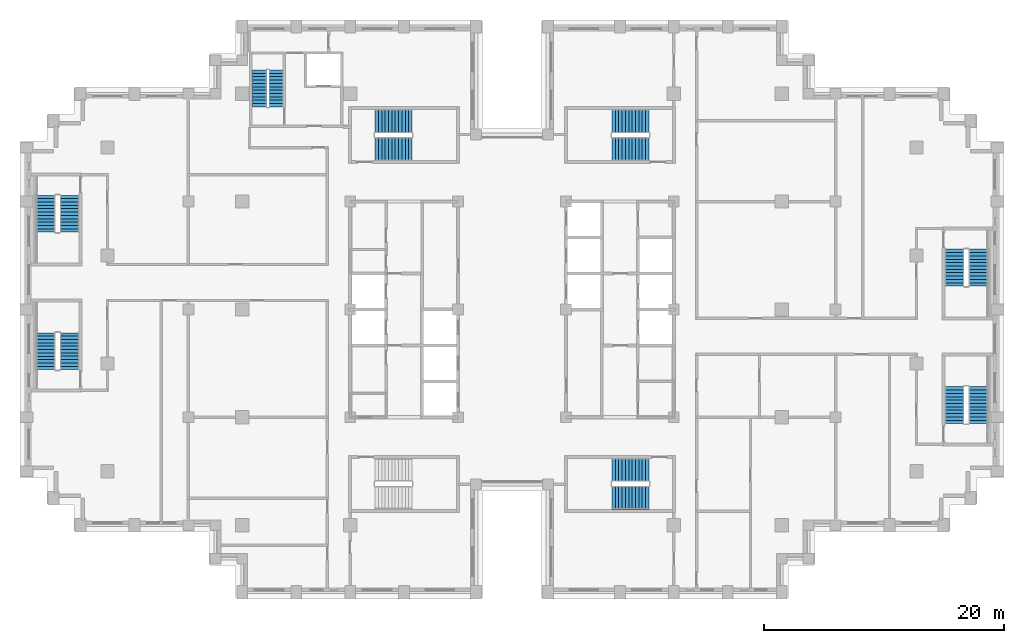
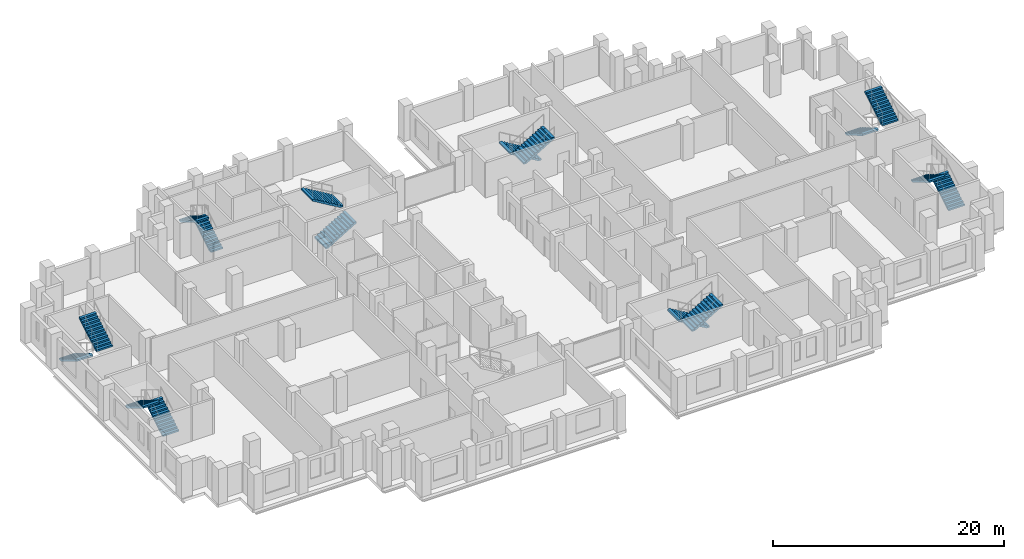
# One storey, part 13 of 15: 16 stair flights, 8 elements without a shape of their own.
"""IFC4 building model written with IfcOpenShell, lengths in metres."""

import ifcopenshell
import ifcopenshell.guid

model = None  # the IFC model being written
_history = None  # IfcOwnerHistory: only IFC2X3 demands one
_inside = {}  # id of a spatial element -> (the spatial element, [elements in it])
_under = {}  # id of a project, library or spatial element -> (it, [spatial elements below it])
_declared = {}  # id of a project -> (the project, [libraries it declares])
_typed = {}  # id of a type object -> (the type object, [elements of that type])
_made_of = {}  # id of a material, layer set ... -> (it, [elements and type objects made of it])


def new_model(schema):
    """Start an empty IFC model of exactly this schema.

    Asked for "IFC4X3", IfcOpenShell would pick the latest addendum, in which some entities
    have other attributes; the version numbers below select the first issue.
    IFC2X3 requires an IfcOwnerHistory on every rooted entity: one is made here for all.
    """
    global model, _history
    if schema == "IFC4X3":
        model = ifcopenshell.file(schema_version=(4, 3, 0, 0))
    else:
        model = ifcopenshell.file(schema=schema)
    _inside.clear()
    _under.clear()
    _declared.clear()
    _typed.clear()
    _made_of.clear()
    _history = None
    if model.schema == "IFC2X3":
        org = make("IfcOrganization", Name="unknown")
        user = make(
            "IfcPersonAndOrganization",
            ThePerson=make("IfcPerson", FamilyName="unknown"),
            TheOrganization=org,
        )
        app = make(
            "IfcApplication",
            ApplicationDeveloper=org,
            Version="unknown",
            ApplicationFullName="unknown",
            ApplicationIdentifier="unknown",
        )
        _history = make(
            "IfcOwnerHistory",
            OwningUser=user,
            OwningApplication=app,
            ChangeAction="ADDED",
            CreationDate=0,
        )
    return model


def make(cls, **values):
    """One entity of the class cls with the attributes given. An attribute that is None is left unset."""
    return model.create_entity(
        cls, **{name: value for name, value in values.items() if value is not None}
    )


def rooted(cls, **values):
    """An entity with a GlobalId (a new one), such as an element, a storey or a relation."""
    return make(cls, GlobalId=ifcopenshell.guid.new(), OwnerHistory=_history, **values)


def si_unit(unit_type, name, prefix=None):
    """IfcSIUnit, for example si_unit("LENGTHUNIT", "METRE", prefix="MILLI")."""
    return make("IfcSIUnit", UnitType=unit_type, Prefix=prefix, Name=name)


def assignment(units):
    """IfcUnitAssignment: the units of a project."""
    return None if units is None else make("IfcUnitAssignment", Units=units)


def point(xyz):
    """IfcCartesianPoint."""
    return None if xyz is None else make("IfcCartesianPoint", Coordinates=xyz)


def direction(xyz):
    """IfcDirection."""
    return None if xyz is None else make("IfcDirection", DirectionRatios=xyz)


def frame(location, z_axis=None, x_axis=None):
    """IfcAxis2Placement3D, a coordinate frame: its origin and axes. An axis left out is left unset."""
    return make(
        "IfcAxis2Placement3D",
        Location=point(location),
        Axis=direction(z_axis),
        RefDirection=direction(x_axis),
    )


def origin():
    """The frame at (0, 0, 0) with its axes left unset."""
    return frame((0.0, 0.0, 0.0))


def place(relative_to, where):
    """IfcLocalPlacement: puts the frame where relative to a parent placement (None: the world)."""
    return make(
        "IfcLocalPlacement", PlacementRelTo=relative_to, RelativePlacement=where
    )


def context(
    kind, dimensions, precision=None, world=None, true_north=None, identifier=None
):
    """IfcGeometricRepresentationContext, for example the 3D "Model" context."""
    return make(
        "IfcGeometricRepresentationContext",
        ContextIdentifier=identifier,
        ContextType=kind,
        CoordinateSpaceDimension=dimensions,
        Precision=precision,
        WorldCoordinateSystem=world,
        TrueNorth=true_north,
    )


def subcontext(parent, identifier, kind, view, scale=None):
    """IfcGeometricRepresentationSubContext, for example "Body" below "Model"."""
    return make(
        "IfcGeometricRepresentationSubContext",
        ContextIdentifier=identifier,
        ContextType=kind,
        ParentContext=parent,
        TargetScale=scale,
        TargetView=view,
    )


def project(units=None, contexts=None):
    """IfcProject with its units and contexts."""
    return rooted(
        "IfcProject",
        Name="project",
        RepresentationContexts=contexts,
        UnitsInContext=assignment(units),
    )


def spatial(cls, under=None, at=None, **own):
    """A site, building, storey or space (cls), placed at a placement, below another one or the project."""
    s = rooted(cls, ObjectPlacement=at, **own)
    if under is not None:
        _under.setdefault(under.id(), (under, []))[1].append(s)
    return s


def polyline(points):
    """IfcPolyline through the points."""
    return make("IfcPolyline", Points=[point(p) for p in points])


def outline(outer, holes=None, kind="AREA"):
    """IfcArbitraryClosedProfileDef: a profile drawn as a closed curve; with holes, ...WithVoids."""
    if holes is None:
        return make("IfcArbitraryClosedProfileDef", ProfileType=kind, OuterCurve=outer)
    return make(
        "IfcArbitraryProfileDefWithVoids",
        ProfileType=kind,
        OuterCurve=outer,
        InnerCurves=holes,
    )


def extrude(swept, where, along, depth):
    """IfcExtrudedAreaSolid: the profile swept, set in the frame where, extruded along a direction by depth."""
    return make(
        "IfcExtrudedAreaSolid",
        SweptArea=swept,
        Position=where,
        ExtrudedDirection=direction(along),
        Depth=depth,
    )


def shape(context_of_items, identifier, shape_type, items):
    """IfcShapeRepresentation: the items that make up one representation, for example the "Body"."""
    return make(
        "IfcShapeRepresentation",
        ContextOfItems=context_of_items,
        RepresentationIdentifier=identifier,
        RepresentationType=shape_type,
        Items=items,
    )


def material(Name=None, Category=None):
    """IfcMaterial."""
    return make("IfcMaterial", Name=Name, Category=Category)


def made_of(thing, what):
    """Note that an element or type object is made of a material, layer set ...; save() writes the relation."""
    if what is not None:
        _made_of.setdefault(what.id(), (what, []))[1].append(thing)
    return thing


def type_object(cls, material=None, **own):
    """A type object (cls), such as IfcWallType, which elements share."""
    return made_of(rooted(cls, **own), material)


def element(
    cls,
    number,
    at=None,
    inside=None,
    cuts=None,
    type_object=None,
    material=None,
    context=None,
    identifier="Body",
    shape_type=None,
    held_by="IfcProductDefinitionShape",
    body=None,
    shapes=None,
    **own,
):
    """One element of the class cls, such as IfcWall. Its Tag is "e" and its number.

    at: its placement. inside: the storey or other place that contains it. cuts: it is an
    opening in that element (IfcRelVoidsElement). A single representation is given by context,
    identifier, shape_type and body (its items); several are given by shapes. held_by: the class
    of the entity that holds the representations. save() writes the other relations.
    """
    e = rooted(cls, Tag="e%d" % number, ObjectPlacement=at, **own)
    if body is not None:
        shapes = [shape(context, identifier, shape_type, body)]
    if shapes is not None:
        e.Representation = make(held_by, Representations=shapes)
    if inside is not None:
        _inside.setdefault(inside.id(), (inside, []))[1].append(e)
    if cuts is not None:
        rooted(
            "IfcRelVoidsElement", RelatingBuildingElement=cuts, RelatedOpeningElement=e
        )
    if type_object is not None:
        _typed.setdefault(type_object.id(), (type_object, []))[1].append(e)
    return made_of(e, material)


def aggregate(whole, parts):
    """IfcRelAggregates: a whole, such as a stair, and the parts it consists of."""
    return rooted("IfcRelAggregates", RelatingObject=whole, RelatedObjects=parts)


def save(model, path):
    """Write the relations noted so far, then the file.

    IfcRelAggregates (storeys below a building ...), IfcRelContainedInSpatialStructure (elements
    in a storey), IfcRelDefinesByType, IfcRelAssociatesMaterial and IfcRelDeclares: one each for
    every whole, place, type object, material and project.
    """
    for whole, parts in _under.values():
        aggregate(whole, parts)
    for where, things in _inside.values():
        rooted(
            "IfcRelContainedInSpatialStructure",
            RelatedElements=things,
            RelatingStructure=where,
        )
    for kind, things in _typed.values():
        rooted("IfcRelDefinesByType", RelatedObjects=things, RelatingType=kind)
    for what, things in _made_of.values():
        rooted("IfcRelAssociatesMaterial", RelatedObjects=things, RelatingMaterial=what)
    for by, libraries in _declared.values():
        rooted("IfcRelDeclares", RelatingContext=by, RelatedDefinitions=libraries)
    model.write(path)


model = new_model("IFC4")

# Units and contexts
model_context = context("Model", 3, precision=1e-05, world=origin(), true_north=direction((0.0, 1.0)))
body_context = subcontext(model_context, "Body", "Model", "MODEL_VIEW")
ifc_project = project(units=[si_unit("LENGTHUNIT", "METRE"), si_unit("AREAUNIT", "SQUARE_METRE"), si_unit("VOLUMEUNIT", "CUBIC_METRE"), si_unit("PLANEANGLEUNIT", "RADIAN"), si_unit("MASSUNIT", "GRAM", prefix="KILO")], contexts=[model_context])

# Site, building, storey
site_placement = place(None, origin())
site = spatial("IfcSite", under=ifc_project, at=site_placement, CompositionType="ELEMENT")
building_placement = place(site_placement, origin())
building = spatial("IfcBuilding", under=site, at=building_placement, Name="Corbelhall Arena Tower", CompositionType="ELEMENT")
storey_placement = place(building_placement, frame((0.0, 0.0, 138.0)))
storey = spatial("IfcBuildingStorey", under=building, at=storey_placement, Name="L26", CompositionType="ELEMENT", Elevation=138.0)

# Stair, stair flights
ifc_material = material(Name="Concrete C40/50", Category="concrete")
stair_type = type_object("IfcStairType", Name="IN-ST-TOWER", PredefinedType="HALF_TURN_STAIR", material=ifc_material)
stair_1_placement = place(storey_placement, origin())
stair_1 = element("IfcStair", 1, at=stair_1_placement, inside=storey, type_object=stair_type, Name="L26 Exit stair ST1", PredefinedType="HALF_TURN_STAIR")
stair_flight_type = type_object("IfcStairFlightType", Name="IN-SFL-RC", PredefinedType="STRAIGHT", material=ifc_material)
stair_flight_1_placement = place(storey_placement, frame((-11.425048828125, 13.39990234375, 0.0), z_axis=(0.0, 0.0, 1.0), x_axis=(1.0, 0.0, 0.0)))
stair_flight_1 = element("IfcStairFlight", 2, at=stair_flight_1_placement, type_object=stair_flight_type, Name="ST1 flight 1", NumberOfRisers=12, NumberOfTreads=11, PredefinedType="STRAIGHT", RiserHeight=0.166666667, TreadLength=0.28, context=body_context, shape_type="SweptSolid", body=[
    extrude(outline(polyline([(0.0, 0.0), (0.0, 0.166748046875), (0.280029296875, 0.166748046875), (0.280029296875, 0.333251953125), (0.56005859375, 0.333251953125), (0.56005859375, 0.5), (0.840087890625, 0.5), (0.840087890625, 0.666748046875), (1.1201171875, 0.666748046875), (1.1201171875, 0.833251953125), (1.39990234375, 0.833251953125), (1.39990234375, 1.0), (1.679931640625, 1.0), (1.679931640625, 1.166748046875), (1.9599609375, 1.166748046875), (1.9599609375, 1.333251953125), (2.239990234375, 1.333251953125), (2.239990234375, 1.5), (2.52001953125, 1.5), (2.52001953125, 1.666748046875), (2.800048828125, 1.666748046875), (2.800048828125, 1.833251953125), (3.080078125, 1.833251953125), (3.080078125, 2.0), (3.080078125, 1.658935546875), (0.29296875, 0.0), (0.0, 0.0)])), frame((0.0, 0.97509765625, 0.0), z_axis=(0.0, -1.0, 0.0), x_axis=(1.0, 0.0, 0.0)), (0.0, 0.0, 1.0), 0.449951171875),
    extrude(outline(polyline([(0.0, 0.0), (0.0, 0.166748046875), (0.280029296875, 0.166748046875), (0.280029296875, 0.333251953125), (0.56005859375, 0.333251953125), (0.56005859375, 0.5), (0.840087890625, 0.5), (0.840087890625, 0.666748046875), (1.1201171875, 0.666748046875), (1.1201171875, 0.833251953125), (1.39990234375, 0.833251953125), (1.39990234375, 1.0), (1.679931640625, 1.0), (1.679931640625, 1.166748046875), (1.9599609375, 1.166748046875), (1.9599609375, 1.333251953125), (2.239990234375, 1.333251953125), (2.239990234375, 1.5), (2.52001953125, 1.5), (2.52001953125, 1.666748046875), (2.800048828125, 1.666748046875), (2.800048828125, 1.833251953125), (3.080078125, 1.833251953125), (3.080078125, 2.0), (3.080078125, 1.658935546875), (0.29296875, 0.0), (0.0, 0.0)])), frame((0.0, 0.52099609375, 0.0), z_axis=(0.0, -1.0, 0.0), x_axis=(1.0, 0.0, 0.0)), (0.0, 0.0, 1.0), 1.0419921875),
    extrude(outline(polyline([(0.0, 0.0), (0.0, 0.166748046875), (0.280029296875, 0.166748046875), (0.280029296875, 0.333251953125), (0.56005859375, 0.333251953125), (0.56005859375, 0.5), (0.840087890625, 0.5), (0.840087890625, 0.666748046875), (1.1201171875, 0.666748046875), (1.1201171875, 0.833251953125), (1.39990234375, 0.833251953125), (1.39990234375, 1.0), (1.679931640625, 1.0), (1.679931640625, 1.166748046875), (1.9599609375, 1.166748046875), (1.9599609375, 1.333251953125), (2.239990234375, 1.333251953125), (2.239990234375, 1.5), (2.52001953125, 1.5), (2.52001953125, 1.666748046875), (2.800048828125, 1.666748046875), (2.800048828125, 1.833251953125), (3.080078125, 1.833251953125), (3.080078125, 2.0), (3.080078125, 1.658935546875), (0.29296875, 0.0), (0.0, 0.0)])), frame((0.0, -0.52490234375, 0.0), z_axis=(0.0, -1.0, 0.0), x_axis=(1.0, 0.0, 0.0)), (0.0, 0.0, 1.0), 0.449951171875),
])
stair_flight_2_placement = place(storey_placement, frame((-8.344970703125, 15.699951171875, 2.0), z_axis=(0.0, 0.0, 1.0), x_axis=(-1.0, 0.0, 0.0)))
stair_flight_2 = element("IfcStairFlight", 3, at=stair_flight_2_placement, type_object=stair_flight_type, Name="ST1 flight 2", NumberOfRisers=12, NumberOfTreads=11, PredefinedType="STRAIGHT", RiserHeight=0.166666667, TreadLength=0.28, context=body_context, shape_type="SweptSolid", body=[
    extrude(outline(polyline([(0.0, 0.0), (0.0, 0.166748046875), (0.280029296875, 0.166748046875), (0.280029296875, 0.333251953125), (0.56005859375, 0.333251953125), (0.56005859375, 0.5), (0.840087890625, 0.5), (0.840087890625, 0.666748046875), (1.1201171875, 0.666748046875), (1.1201171875, 0.833251953125), (1.39990234375, 0.833251953125), (1.39990234375, 1.0), (1.679931640625, 1.0), (1.679931640625, 1.166748046875), (1.9599609375, 1.166748046875), (1.9599609375, 1.333251953125), (2.239990234375, 1.333251953125), (2.239990234375, 1.5), (2.52001953125, 1.5), (2.52001953125, 1.666748046875), (2.800048828125, 1.666748046875), (2.800048828125, 1.833251953125), (3.080078125, 1.833251953125), (3.080078125, 2.0), (3.080078125, 1.658935546875), (0.29296875, 0.0), (0.0, 0.0)])), frame((0.0, 0.97509765625, 0.0), z_axis=(0.0, -1.0, 0.0), x_axis=(1.0, 0.0, 0.0)), (0.0, 0.0, 1.0), 0.449951171875),
    extrude(outline(polyline([(0.0, 0.0), (0.0, 0.166748046875), (0.280029296875, 0.166748046875), (0.280029296875, 0.333251953125), (0.56005859375, 0.333251953125), (0.56005859375, 0.5), (0.840087890625, 0.5), (0.840087890625, 0.666748046875), (1.1201171875, 0.666748046875), (1.1201171875, 0.833251953125), (1.39990234375, 0.833251953125), (1.39990234375, 1.0), (1.679931640625, 1.0), (1.679931640625, 1.166748046875), (1.9599609375, 1.166748046875), (1.9599609375, 1.333251953125), (2.239990234375, 1.333251953125), (2.239990234375, 1.5), (2.52001953125, 1.5), (2.52001953125, 1.666748046875), (2.800048828125, 1.666748046875), (2.800048828125, 1.833251953125), (3.080078125, 1.833251953125), (3.080078125, 2.0), (3.080078125, 1.658935546875), (0.29296875, 0.0), (0.0, 0.0)])), frame((0.0, 0.52099609375, 0.0), z_axis=(0.0, -1.0, 0.0), x_axis=(1.0, 0.0, 0.0)), (0.0, 0.0, 1.0), 1.0419921875),
    extrude(outline(polyline([(0.0, 0.0), (0.0, 0.166748046875), (0.280029296875, 0.166748046875), (0.280029296875, 0.333251953125), (0.56005859375, 0.333251953125), (0.56005859375, 0.5), (0.840087890625, 0.5), (0.840087890625, 0.666748046875), (1.1201171875, 0.666748046875), (1.1201171875, 0.833251953125), (1.39990234375, 0.833251953125), (1.39990234375, 1.0), (1.679931640625, 1.0), (1.679931640625, 1.166748046875), (1.9599609375, 1.166748046875), (1.9599609375, 1.333251953125), (2.239990234375, 1.333251953125), (2.239990234375, 1.5), (2.52001953125, 1.5), (2.52001953125, 1.666748046875), (2.800048828125, 1.666748046875), (2.800048828125, 1.833251953125), (3.080078125, 1.833251953125), (3.080078125, 2.0), (3.080078125, 1.658935546875), (0.29296875, 0.0), (0.0, 0.0)])), frame((0.0, -0.52490234375, 0.0), z_axis=(0.0, -1.0, 0.0), x_axis=(1.0, 0.0, 0.0)), (0.0, 0.0, 1.0), 0.449951171875),
])
aggregate(stair_1, [stair_flight_1, stair_flight_2])

stair_2_placement = place(storey_placement, origin())
stair_2 = element("IfcStair", 4, at=stair_2_placement, inside=storey, type_object=stair_type, Name="L26 Exit stair ST3", PredefinedType="HALF_TURN_STAIR")
stair_flight_3_placement = place(storey_placement, frame((11.425048828125, 15.699951171875, 0.0), z_axis=(0.0, 0.0, 1.0), x_axis=(-1.0, 0.0, 0.0)))
stair_flight_3 = element("IfcStairFlight", 5, at=stair_flight_3_placement, type_object=stair_flight_type, Name="ST3 flight 1", NumberOfRisers=12, NumberOfTreads=11, PredefinedType="STRAIGHT", RiserHeight=0.166666667, TreadLength=0.28, context=body_context, shape_type="SweptSolid", body=[
    extrude(outline(polyline([(0.0, 0.0), (0.0, 0.166748046875), (0.280029296875, 0.166748046875), (0.280029296875, 0.333251953125), (0.56005859375, 0.333251953125), (0.56005859375, 0.5), (0.840087890625, 0.5), (0.840087890625, 0.666748046875), (1.1201171875, 0.666748046875), (1.1201171875, 0.833251953125), (1.39990234375, 0.833251953125), (1.39990234375, 1.0), (1.679931640625, 1.0), (1.679931640625, 1.166748046875), (1.9599609375, 1.166748046875), (1.9599609375, 1.333251953125), (2.239990234375, 1.333251953125), (2.239990234375, 1.5), (2.52001953125, 1.5), (2.52001953125, 1.666748046875), (2.800048828125, 1.666748046875), (2.800048828125, 1.833251953125), (3.080078125, 1.833251953125), (3.080078125, 2.0), (3.080078125, 1.658935546875), (0.29296875, 0.0), (0.0, 0.0)])), frame((0.0, 0.97509765625, 0.0), z_axis=(0.0, -1.0, 0.0), x_axis=(1.0, 0.0, 0.0)), (0.0, 0.0, 1.0), 0.449951171875),
    extrude(outline(polyline([(0.0, 0.0), (0.0, 0.166748046875), (0.280029296875, 0.166748046875), (0.280029296875, 0.333251953125), (0.56005859375, 0.333251953125), (0.56005859375, 0.5), (0.840087890625, 0.5), (0.840087890625, 0.666748046875), (1.1201171875, 0.666748046875), (1.1201171875, 0.833251953125), (1.39990234375, 0.833251953125), (1.39990234375, 1.0), (1.679931640625, 1.0), (1.679931640625, 1.166748046875), (1.9599609375, 1.166748046875), (1.9599609375, 1.333251953125), (2.239990234375, 1.333251953125), (2.239990234375, 1.5), (2.52001953125, 1.5), (2.52001953125, 1.666748046875), (2.800048828125, 1.666748046875), (2.800048828125, 1.833251953125), (3.080078125, 1.833251953125), (3.080078125, 2.0), (3.080078125, 1.658935546875), (0.29296875, 0.0), (0.0, 0.0)])), frame((0.0, 0.52099609375, 0.0), z_axis=(0.0, -1.0, 0.0), x_axis=(1.0, 0.0, 0.0)), (0.0, 0.0, 1.0), 1.0419921875),
    extrude(outline(polyline([(0.0, 0.0), (0.0, 0.166748046875), (0.280029296875, 0.166748046875), (0.280029296875, 0.333251953125), (0.56005859375, 0.333251953125), (0.56005859375, 0.5), (0.840087890625, 0.5), (0.840087890625, 0.666748046875), (1.1201171875, 0.666748046875), (1.1201171875, 0.833251953125), (1.39990234375, 0.833251953125), (1.39990234375, 1.0), (1.679931640625, 1.0), (1.679931640625, 1.166748046875), (1.9599609375, 1.166748046875), (1.9599609375, 1.333251953125), (2.239990234375, 1.333251953125), (2.239990234375, 1.5), (2.52001953125, 1.5), (2.52001953125, 1.666748046875), (2.800048828125, 1.666748046875), (2.800048828125, 1.833251953125), (3.080078125, 1.833251953125), (3.080078125, 2.0), (3.080078125, 1.658935546875), (0.29296875, 0.0), (0.0, 0.0)])), frame((0.0, -0.52490234375, 0.0), z_axis=(0.0, -1.0, 0.0), x_axis=(1.0, 0.0, 0.0)), (0.0, 0.0, 1.0), 0.449951171875),
])
stair_flight_4_placement = place(storey_placement, frame((8.344970703125, 13.39990234375, 2.0), z_axis=(0.0, 0.0, 1.0), x_axis=(1.0, 0.0, 0.0)))
stair_flight_4 = element("IfcStairFlight", 6, at=stair_flight_4_placement, type_object=stair_flight_type, Name="ST3 flight 2", NumberOfRisers=12, NumberOfTreads=11, PredefinedType="STRAIGHT", RiserHeight=0.166666667, TreadLength=0.28, context=body_context, shape_type="SweptSolid", body=[
    extrude(outline(polyline([(0.0, 0.0), (0.0, 0.166748046875), (0.280029296875, 0.166748046875), (0.280029296875, 0.333251953125), (0.56005859375, 0.333251953125), (0.56005859375, 0.5), (0.840087890625, 0.5), (0.840087890625, 0.666748046875), (1.1201171875, 0.666748046875), (1.1201171875, 0.833251953125), (1.39990234375, 0.833251953125), (1.39990234375, 1.0), (1.679931640625, 1.0), (1.679931640625, 1.166748046875), (1.9599609375, 1.166748046875), (1.9599609375, 1.333251953125), (2.239990234375, 1.333251953125), (2.239990234375, 1.5), (2.52001953125, 1.5), (2.52001953125, 1.666748046875), (2.800048828125, 1.666748046875), (2.800048828125, 1.833251953125), (3.080078125, 1.833251953125), (3.080078125, 2.0), (3.080078125, 1.658935546875), (0.29296875, 0.0), (0.0, 0.0)])), frame((0.0, 0.97509765625, 0.0), z_axis=(0.0, -1.0, 0.0), x_axis=(1.0, 0.0, 0.0)), (0.0, 0.0, 1.0), 0.449951171875),
    extrude(outline(polyline([(0.0, 0.0), (0.0, 0.166748046875), (0.280029296875, 0.166748046875), (0.280029296875, 0.333251953125), (0.56005859375, 0.333251953125), (0.56005859375, 0.5), (0.840087890625, 0.5), (0.840087890625, 0.666748046875), (1.1201171875, 0.666748046875), (1.1201171875, 0.833251953125), (1.39990234375, 0.833251953125), (1.39990234375, 1.0), (1.679931640625, 1.0), (1.679931640625, 1.166748046875), (1.9599609375, 1.166748046875), (1.9599609375, 1.333251953125), (2.239990234375, 1.333251953125), (2.239990234375, 1.5), (2.52001953125, 1.5), (2.52001953125, 1.666748046875), (2.800048828125, 1.666748046875), (2.800048828125, 1.833251953125), (3.080078125, 1.833251953125), (3.080078125, 2.0), (3.080078125, 1.658935546875), (0.29296875, 0.0), (0.0, 0.0)])), frame((0.0, 0.52099609375, 0.0), z_axis=(0.0, -1.0, 0.0), x_axis=(1.0, 0.0, 0.0)), (0.0, 0.0, 1.0), 1.0419921875),
    extrude(outline(polyline([(0.0, 0.0), (0.0, 0.166748046875), (0.280029296875, 0.166748046875), (0.280029296875, 0.333251953125), (0.56005859375, 0.333251953125), (0.56005859375, 0.5), (0.840087890625, 0.5), (0.840087890625, 0.666748046875), (1.1201171875, 0.666748046875), (1.1201171875, 0.833251953125), (1.39990234375, 0.833251953125), (1.39990234375, 1.0), (1.679931640625, 1.0), (1.679931640625, 1.166748046875), (1.9599609375, 1.166748046875), (1.9599609375, 1.333251953125), (2.239990234375, 1.333251953125), (2.239990234375, 1.5), (2.52001953125, 1.5), (2.52001953125, 1.666748046875), (2.800048828125, 1.666748046875), (2.800048828125, 1.833251953125), (3.080078125, 1.833251953125), (3.080078125, 2.0), (3.080078125, 1.658935546875), (0.29296875, 0.0), (0.0, 0.0)])), frame((0.0, -0.52490234375, 0.0), z_axis=(0.0, -1.0, 0.0), x_axis=(1.0, 0.0, 0.0)), (0.0, 0.0, 1.0), 0.449951171875),
])
aggregate(stair_2, [stair_flight_3, stair_flight_4])

stair_3_placement = place(storey_placement, origin())
stair_3 = element("IfcStair", 7, at=stair_3_placement, inside=storey, type_object=stair_type, Name="L26 Exit stair ST4", PredefinedType="HALF_TURN_STAIR")
stair_flight_5_placement = place(storey_placement, frame((11.425048828125, -13.39990234375, 0.0), z_axis=(0.0, 0.0, 1.0), x_axis=(-1.0, 0.0, 0.0)))
stair_flight_5 = element("IfcStairFlight", 8, at=stair_flight_5_placement, type_object=stair_flight_type, Name="ST4 flight 1", NumberOfRisers=12, NumberOfTreads=11, PredefinedType="STRAIGHT", RiserHeight=0.166666667, TreadLength=0.28, context=body_context, shape_type="SweptSolid", body=[
    extrude(outline(polyline([(0.0, 0.0), (0.0, 0.166748046875), (0.280029296875, 0.166748046875), (0.280029296875, 0.333251953125), (0.56005859375, 0.333251953125), (0.56005859375, 0.5), (0.840087890625, 0.5), (0.840087890625, 0.666748046875), (1.1201171875, 0.666748046875), (1.1201171875, 0.833251953125), (1.39990234375, 0.833251953125), (1.39990234375, 1.0), (1.679931640625, 1.0), (1.679931640625, 1.166748046875), (1.9599609375, 1.166748046875), (1.9599609375, 1.333251953125), (2.239990234375, 1.333251953125), (2.239990234375, 1.5), (2.52001953125, 1.5), (2.52001953125, 1.666748046875), (2.800048828125, 1.666748046875), (2.800048828125, 1.833251953125), (3.080078125, 1.833251953125), (3.080078125, 2.0), (3.080078125, 1.658935546875), (0.29296875, 0.0), (0.0, 0.0)])), frame((0.0, 0.97509765625, 0.0), z_axis=(0.0, -1.0, 0.0), x_axis=(1.0, 0.0, 0.0)), (0.0, 0.0, 1.0), 0.449951171875),
    extrude(outline(polyline([(0.0, 0.0), (0.0, 0.166748046875), (0.280029296875, 0.166748046875), (0.280029296875, 0.333251953125), (0.56005859375, 0.333251953125), (0.56005859375, 0.5), (0.840087890625, 0.5), (0.840087890625, 0.666748046875), (1.1201171875, 0.666748046875), (1.1201171875, 0.833251953125), (1.39990234375, 0.833251953125), (1.39990234375, 1.0), (1.679931640625, 1.0), (1.679931640625, 1.166748046875), (1.9599609375, 1.166748046875), (1.9599609375, 1.333251953125), (2.239990234375, 1.333251953125), (2.239990234375, 1.5), (2.52001953125, 1.5), (2.52001953125, 1.666748046875), (2.800048828125, 1.666748046875), (2.800048828125, 1.833251953125), (3.080078125, 1.833251953125), (3.080078125, 2.0), (3.080078125, 1.658935546875), (0.29296875, 0.0), (0.0, 0.0)])), frame((0.0, 0.52099609375, 0.0), z_axis=(0.0, -1.0, 0.0), x_axis=(1.0, 0.0, 0.0)), (0.0, 0.0, 1.0), 1.0419921875),
    extrude(outline(polyline([(0.0, 0.0), (0.0, 0.166748046875), (0.280029296875, 0.166748046875), (0.280029296875, 0.333251953125), (0.56005859375, 0.333251953125), (0.56005859375, 0.5), (0.840087890625, 0.5), (0.840087890625, 0.666748046875), (1.1201171875, 0.666748046875), (1.1201171875, 0.833251953125), (1.39990234375, 0.833251953125), (1.39990234375, 1.0), (1.679931640625, 1.0), (1.679931640625, 1.166748046875), (1.9599609375, 1.166748046875), (1.9599609375, 1.333251953125), (2.239990234375, 1.333251953125), (2.239990234375, 1.5), (2.52001953125, 1.5), (2.52001953125, 1.666748046875), (2.800048828125, 1.666748046875), (2.800048828125, 1.833251953125), (3.080078125, 1.833251953125), (3.080078125, 2.0), (3.080078125, 1.658935546875), (0.29296875, 0.0), (0.0, 0.0)])), frame((0.0, -0.52490234375, 0.0), z_axis=(0.0, -1.0, 0.0), x_axis=(1.0, 0.0, 0.0)), (0.0, 0.0, 1.0), 0.449951171875),
])
stair_flight_6_placement = place(storey_placement, frame((8.344970703125, -15.699951171875, 2.0), z_axis=(0.0, 0.0, 1.0), x_axis=(1.0, 0.0, 0.0)))
stair_flight_6 = element("IfcStairFlight", 9, at=stair_flight_6_placement, type_object=stair_flight_type, Name="ST4 flight 2", NumberOfRisers=12, NumberOfTreads=11, PredefinedType="STRAIGHT", RiserHeight=0.166666667, TreadLength=0.28, context=body_context, shape_type="SweptSolid", body=[
    extrude(outline(polyline([(0.0, 0.0), (0.0, 0.166748046875), (0.280029296875, 0.166748046875), (0.280029296875, 0.333251953125), (0.56005859375, 0.333251953125), (0.56005859375, 0.5), (0.840087890625, 0.5), (0.840087890625, 0.666748046875), (1.1201171875, 0.666748046875), (1.1201171875, 0.833251953125), (1.39990234375, 0.833251953125), (1.39990234375, 1.0), (1.679931640625, 1.0), (1.679931640625, 1.166748046875), (1.9599609375, 1.166748046875), (1.9599609375, 1.333251953125), (2.239990234375, 1.333251953125), (2.239990234375, 1.5), (2.52001953125, 1.5), (2.52001953125, 1.666748046875), (2.800048828125, 1.666748046875), (2.800048828125, 1.833251953125), (3.080078125, 1.833251953125), (3.080078125, 2.0), (3.080078125, 1.658935546875), (0.29296875, 0.0), (0.0, 0.0)])), frame((0.0, 0.97509765625, 0.0), z_axis=(0.0, -1.0, 0.0), x_axis=(1.0, 0.0, 0.0)), (0.0, 0.0, 1.0), 0.449951171875),
    extrude(outline(polyline([(0.0, 0.0), (0.0, 0.166748046875), (0.280029296875, 0.166748046875), (0.280029296875, 0.333251953125), (0.56005859375, 0.333251953125), (0.56005859375, 0.5), (0.840087890625, 0.5), (0.840087890625, 0.666748046875), (1.1201171875, 0.666748046875), (1.1201171875, 0.833251953125), (1.39990234375, 0.833251953125), (1.39990234375, 1.0), (1.679931640625, 1.0), (1.679931640625, 1.166748046875), (1.9599609375, 1.166748046875), (1.9599609375, 1.333251953125), (2.239990234375, 1.333251953125), (2.239990234375, 1.5), (2.52001953125, 1.5), (2.52001953125, 1.666748046875), (2.800048828125, 1.666748046875), (2.800048828125, 1.833251953125), (3.080078125, 1.833251953125), (3.080078125, 2.0), (3.080078125, 1.658935546875), (0.29296875, 0.0), (0.0, 0.0)])), frame((0.0, 0.52099609375, 0.0), z_axis=(0.0, -1.0, 0.0), x_axis=(1.0, 0.0, 0.0)), (0.0, 0.0, 1.0), 1.0419921875),
    extrude(outline(polyline([(0.0, 0.0), (0.0, 0.166748046875), (0.280029296875, 0.166748046875), (0.280029296875, 0.333251953125), (0.56005859375, 0.333251953125), (0.56005859375, 0.5), (0.840087890625, 0.5), (0.840087890625, 0.666748046875), (1.1201171875, 0.666748046875), (1.1201171875, 0.833251953125), (1.39990234375, 0.833251953125), (1.39990234375, 1.0), (1.679931640625, 1.0), (1.679931640625, 1.166748046875), (1.9599609375, 1.166748046875), (1.9599609375, 1.333251953125), (2.239990234375, 1.333251953125), (2.239990234375, 1.5), (2.52001953125, 1.5), (2.52001953125, 1.666748046875), (2.800048828125, 1.666748046875), (2.800048828125, 1.833251953125), (3.080078125, 1.833251953125), (3.080078125, 2.0), (3.080078125, 1.658935546875), (0.29296875, 0.0), (0.0, 0.0)])), frame((0.0, -0.52490234375, 0.0), z_axis=(0.0, -1.0, 0.0), x_axis=(1.0, 0.0, 0.0)), (0.0, 0.0, 1.0), 0.449951171875),
])
aggregate(stair_3, [stair_flight_5, stair_flight_6])

stair_4_placement = place(storey_placement, origin())
stair_4 = element("IfcStair", 10, at=stair_4_placement, inside=storey, type_object=stair_type, Name="L26 Exit stair SC1", PredefinedType="HALF_TURN_STAIR")
stair_flight_7_placement = place(storey_placement, frame((-38.89990234375, 9.52490234375, 0.0), z_axis=(0.0, 0.0, 1.0), x_axis=(0.0, -1.0, 0.0)))
stair_flight_7 = element("IfcStairFlight", 11, at=stair_flight_7_placement, type_object=stair_flight_type, Name="SC1 flight 1", NumberOfRisers=12, NumberOfTreads=11, PredefinedType="STRAIGHT", RiserHeight=0.166666667, TreadLength=0.28, context=body_context, shape_type="SweptSolid", body=[
    extrude(outline(polyline([(0.0, 0.0), (0.0, 0.166748046875), (0.280029296875, 0.166748046875), (0.280029296875, 0.333251953125), (0.56005859375, 0.333251953125), (0.56005859375, 0.5), (0.840087890625, 0.5), (0.840087890625, 0.666748046875), (1.1201171875, 0.666748046875), (1.1201171875, 0.833251953125), (1.39990234375, 0.833251953125), (1.39990234375, 1.0), (1.679931640625, 1.0), (1.679931640625, 1.166748046875), (1.9599609375, 1.166748046875), (1.9599609375, 1.333251953125), (2.239990234375, 1.333251953125), (2.239990234375, 1.5), (2.52001953125, 1.5), (2.52001953125, 1.666748046875), (2.800048828125, 1.666748046875), (2.800048828125, 1.833251953125), (3.080078125, 1.833251953125), (3.080078125, 2.0), (3.080078125, 1.658935546875), (0.29296875, 0.0), (0.0, 0.0)])), frame((0.0, 0.800048828125, 0.0), z_axis=(0.0, -1.0, 0.0), x_axis=(1.0, 0.0, 0.0)), (0.0, 0.0, 1.0), 1.60009765625),
])
stair_flight_8_placement = place(storey_placement, frame((-36.925048828125, 6.445068359375, 2.0), z_axis=(0.0, 0.0, 1.0), x_axis=(0.0, 1.0, 0.0)))
stair_flight_8 = element("IfcStairFlight", 12, at=stair_flight_8_placement, type_object=stair_flight_type, Name="SC1 flight 2", NumberOfRisers=12, NumberOfTreads=11, PredefinedType="STRAIGHT", RiserHeight=0.166666667, TreadLength=0.28, context=body_context, shape_type="SweptSolid", body=[
    extrude(outline(polyline([(0.0, 0.0), (0.0, 0.166748046875), (0.280029296875, 0.166748046875), (0.280029296875, 0.333251953125), (0.56005859375, 0.333251953125), (0.56005859375, 0.5), (0.840087890625, 0.5), (0.840087890625, 0.666748046875), (1.1201171875, 0.666748046875), (1.1201171875, 0.833251953125), (1.39990234375, 0.833251953125), (1.39990234375, 1.0), (1.679931640625, 1.0), (1.679931640625, 1.166748046875), (1.9599609375, 1.166748046875), (1.9599609375, 1.333251953125), (2.239990234375, 1.333251953125), (2.239990234375, 1.5), (2.52001953125, 1.5), (2.52001953125, 1.666748046875), (2.800048828125, 1.666748046875), (2.800048828125, 1.833251953125), (3.080078125, 1.833251953125), (3.080078125, 2.0), (3.080078125, 1.658935546875), (0.29296875, 0.0), (0.0, 0.0)])), frame((0.0, 0.800048828125, 0.0), z_axis=(0.0, -1.0, 0.0), x_axis=(1.0, 0.0, 0.0)), (0.0, 0.0, 1.0), 1.60009765625),
])
aggregate(stair_4, [stair_flight_7, stair_flight_8])

stair_5_placement = place(storey_placement, origin())
stair_5 = element("IfcStair", 13, at=stair_5_placement, inside=storey, type_object=stair_type, Name="L26 Exit stair SC2", PredefinedType="HALF_TURN_STAIR")
stair_flight_9_placement = place(storey_placement, frame((-36.925048828125, -5.02490234375, 0.0), z_axis=(0.0, 0.0, 1.0), x_axis=(0.0, 1.0, 0.0)))
stair_flight_9 = element("IfcStairFlight", 14, at=stair_flight_9_placement, type_object=stair_flight_type, Name="SC2 flight 1", NumberOfRisers=12, NumberOfTreads=11, PredefinedType="STRAIGHT", RiserHeight=0.166666667, TreadLength=0.28, context=body_context, shape_type="SweptSolid", body=[
    extrude(outline(polyline([(0.0, 0.0), (0.0, 0.166748046875), (0.280029296875, 0.166748046875), (0.280029296875, 0.333251953125), (0.56005859375, 0.333251953125), (0.56005859375, 0.5), (0.840087890625, 0.5), (0.840087890625, 0.666748046875), (1.1201171875, 0.666748046875), (1.1201171875, 0.833251953125), (1.39990234375, 0.833251953125), (1.39990234375, 1.0), (1.679931640625, 1.0), (1.679931640625, 1.166748046875), (1.9599609375, 1.166748046875), (1.9599609375, 1.333251953125), (2.239990234375, 1.333251953125), (2.239990234375, 1.5), (2.52001953125, 1.5), (2.52001953125, 1.666748046875), (2.800048828125, 1.666748046875), (2.800048828125, 1.833251953125), (3.080078125, 1.833251953125), (3.080078125, 2.0), (3.080078125, 1.658935546875), (0.29296875, 0.0), (0.0, 0.0)])), frame((0.0, 0.800048828125, 0.0), z_axis=(0.0, -1.0, 0.0), x_axis=(1.0, 0.0, 0.0)), (0.0, 0.0, 1.0), 1.60009765625),
])
stair_flight_10_placement = place(storey_placement, frame((-38.89990234375, -1.945068359375, 2.0), z_axis=(0.0, 0.0, 1.0), x_axis=(0.0, -1.0, 0.0)))
stair_flight_10 = element("IfcStairFlight", 15, at=stair_flight_10_placement, type_object=stair_flight_type, Name="SC2 flight 2", NumberOfRisers=12, NumberOfTreads=11, PredefinedType="STRAIGHT", RiserHeight=0.166666667, TreadLength=0.28, context=body_context, shape_type="SweptSolid", body=[
    extrude(outline(polyline([(0.0, 0.0), (0.0, 0.166748046875), (0.280029296875, 0.166748046875), (0.280029296875, 0.333251953125), (0.56005859375, 0.333251953125), (0.56005859375, 0.5), (0.840087890625, 0.5), (0.840087890625, 0.666748046875), (1.1201171875, 0.666748046875), (1.1201171875, 0.833251953125), (1.39990234375, 0.833251953125), (1.39990234375, 1.0), (1.679931640625, 1.0), (1.679931640625, 1.166748046875), (1.9599609375, 1.166748046875), (1.9599609375, 1.333251953125), (2.239990234375, 1.333251953125), (2.239990234375, 1.5), (2.52001953125, 1.5), (2.52001953125, 1.666748046875), (2.800048828125, 1.666748046875), (2.800048828125, 1.833251953125), (3.080078125, 1.833251953125), (3.080078125, 2.0), (3.080078125, 1.658935546875), (0.29296875, 0.0), (0.0, 0.0)])), frame((0.0, 0.800048828125, 0.0), z_axis=(0.0, -1.0, 0.0), x_axis=(1.0, 0.0, 0.0)), (0.0, 0.0, 1.0), 1.60009765625),
])
aggregate(stair_5, [stair_flight_9, stair_flight_10])

stair_6_placement = place(storey_placement, origin())
stair_6 = element("IfcStair", 16, at=stair_6_placement, inside=storey, type_object=stair_type, Name="L26 Exit stair SD1", PredefinedType="HALF_TURN_STAIR")
stair_flight_11_placement = place(storey_placement, frame((38.89990234375, -9.52490234375, 0.0), z_axis=(0.0, 0.0, 1.0), x_axis=(0.0, 1.0, 0.0)))
stair_flight_11 = element("IfcStairFlight", 17, at=stair_flight_11_placement, type_object=stair_flight_type, Name="SD1 flight 1", NumberOfRisers=12, NumberOfTreads=11, PredefinedType="STRAIGHT", RiserHeight=0.166666667, TreadLength=0.28, context=body_context, shape_type="SweptSolid", body=[
    extrude(outline(polyline([(0.0, 0.0), (0.0, 0.166748046875), (0.280029296875, 0.166748046875), (0.280029296875, 0.333251953125), (0.56005859375, 0.333251953125), (0.56005859375, 0.5), (0.840087890625, 0.5), (0.840087890625, 0.666748046875), (1.1201171875, 0.666748046875), (1.1201171875, 0.833251953125), (1.39990234375, 0.833251953125), (1.39990234375, 1.0), (1.679931640625, 1.0), (1.679931640625, 1.166748046875), (1.9599609375, 1.166748046875), (1.9599609375, 1.333251953125), (2.239990234375, 1.333251953125), (2.239990234375, 1.5), (2.52001953125, 1.5), (2.52001953125, 1.666748046875), (2.800048828125, 1.666748046875), (2.800048828125, 1.833251953125), (3.080078125, 1.833251953125), (3.080078125, 2.0), (3.080078125, 1.658935546875), (0.29296875, 0.0), (0.0, 0.0)])), frame((0.0, 0.800048828125, 0.0), z_axis=(0.0, -1.0, 0.0), x_axis=(1.0, 0.0, 0.0)), (0.0, 0.0, 1.0), 1.60009765625),
])
stair_flight_12_placement = place(storey_placement, frame((36.925048828125, -6.445068359375, 2.0), z_axis=(0.0, 0.0, 1.0), x_axis=(0.0, -1.0, 0.0)))
stair_flight_12 = element("IfcStairFlight", 18, at=stair_flight_12_placement, type_object=stair_flight_type, Name="SD1 flight 2", NumberOfRisers=12, NumberOfTreads=11, PredefinedType="STRAIGHT", RiserHeight=0.166666667, TreadLength=0.28, context=body_context, shape_type="SweptSolid", body=[
    extrude(outline(polyline([(0.0, 0.0), (0.0, 0.166748046875), (0.280029296875, 0.166748046875), (0.280029296875, 0.333251953125), (0.56005859375, 0.333251953125), (0.56005859375, 0.5), (0.840087890625, 0.5), (0.840087890625, 0.666748046875), (1.1201171875, 0.666748046875), (1.1201171875, 0.833251953125), (1.39990234375, 0.833251953125), (1.39990234375, 1.0), (1.679931640625, 1.0), (1.679931640625, 1.166748046875), (1.9599609375, 1.166748046875), (1.9599609375, 1.333251953125), (2.239990234375, 1.333251953125), (2.239990234375, 1.5), (2.52001953125, 1.5), (2.52001953125, 1.666748046875), (2.800048828125, 1.666748046875), (2.800048828125, 1.833251953125), (3.080078125, 1.833251953125), (3.080078125, 2.0), (3.080078125, 1.658935546875), (0.29296875, 0.0), (0.0, 0.0)])), frame((0.0, 0.800048828125, 0.0), z_axis=(0.0, -1.0, 0.0), x_axis=(1.0, 0.0, 0.0)), (0.0, 0.0, 1.0), 1.60009765625),
])
aggregate(stair_6, [stair_flight_11, stair_flight_12])

stair_7_placement = place(storey_placement, origin())
stair_7 = element("IfcStair", 19, at=stair_7_placement, inside=storey, type_object=stair_type, Name="L26 Exit stair SD2", PredefinedType="HALF_TURN_STAIR")
stair_flight_13_placement = place(storey_placement, frame((36.925048828125, 5.02490234375, 0.0), z_axis=(0.0, 0.0, 1.0), x_axis=(0.0, -1.0, 0.0)))
stair_flight_13 = element("IfcStairFlight", 20, at=stair_flight_13_placement, type_object=stair_flight_type, Name="SD2 flight 1", NumberOfRisers=12, NumberOfTreads=11, PredefinedType="STRAIGHT", RiserHeight=0.166666667, TreadLength=0.28, context=body_context, shape_type="SweptSolid", body=[
    extrude(outline(polyline([(0.0, 0.0), (0.0, 0.166748046875), (0.280029296875, 0.166748046875), (0.280029296875, 0.333251953125), (0.56005859375, 0.333251953125), (0.56005859375, 0.5), (0.840087890625, 0.5), (0.840087890625, 0.666748046875), (1.1201171875, 0.666748046875), (1.1201171875, 0.833251953125), (1.39990234375, 0.833251953125), (1.39990234375, 1.0), (1.679931640625, 1.0), (1.679931640625, 1.166748046875), (1.9599609375, 1.166748046875), (1.9599609375, 1.333251953125), (2.239990234375, 1.333251953125), (2.239990234375, 1.5), (2.52001953125, 1.5), (2.52001953125, 1.666748046875), (2.800048828125, 1.666748046875), (2.800048828125, 1.833251953125), (3.080078125, 1.833251953125), (3.080078125, 2.0), (3.080078125, 1.658935546875), (0.29296875, 0.0), (0.0, 0.0)])), frame((0.0, 0.800048828125, 0.0), z_axis=(0.0, -1.0, 0.0), x_axis=(1.0, 0.0, 0.0)), (0.0, 0.0, 1.0), 1.60009765625),
])
stair_flight_14_placement = place(storey_placement, frame((38.89990234375, 1.945068359375, 2.0), z_axis=(0.0, 0.0, 1.0), x_axis=(0.0, 1.0, 0.0)))
stair_flight_14 = element("IfcStairFlight", 21, at=stair_flight_14_placement, type_object=stair_flight_type, Name="SD2 flight 2", NumberOfRisers=12, NumberOfTreads=11, PredefinedType="STRAIGHT", RiserHeight=0.166666667, TreadLength=0.28, context=body_context, shape_type="SweptSolid", body=[
    extrude(outline(polyline([(0.0, 0.0), (0.0, 0.166748046875), (0.280029296875, 0.166748046875), (0.280029296875, 0.333251953125), (0.56005859375, 0.333251953125), (0.56005859375, 0.5), (0.840087890625, 0.5), (0.840087890625, 0.666748046875), (1.1201171875, 0.666748046875), (1.1201171875, 0.833251953125), (1.39990234375, 0.833251953125), (1.39990234375, 1.0), (1.679931640625, 1.0), (1.679931640625, 1.166748046875), (1.9599609375, 1.166748046875), (1.9599609375, 1.333251953125), (2.239990234375, 1.333251953125), (2.239990234375, 1.5), (2.52001953125, 1.5), (2.52001953125, 1.666748046875), (2.800048828125, 1.666748046875), (2.800048828125, 1.833251953125), (3.080078125, 1.833251953125), (3.080078125, 2.0), (3.080078125, 1.658935546875), (0.29296875, 0.0), (0.0, 0.0)])), frame((0.0, 0.800048828125, 0.0), z_axis=(0.0, -1.0, 0.0), x_axis=(1.0, 0.0, 0.0)), (0.0, 0.0, 1.0), 1.60009765625),
])
aggregate(stair_7, [stair_flight_13, stair_flight_14])

stair_8_placement = place(storey_placement, origin())
stair_8 = element("IfcStair", 22, at=stair_8_placement, inside=storey, type_object=stair_type, Name="L26 Exit stair ST5", PredefinedType="HALF_TURN_STAIR")
stair_flight_15_placement = place(storey_placement, frame((-19.695068359375, 16.89990234375, 0.0), z_axis=(0.0, 0.0, 1.0), x_axis=(0.0, 1.0, 0.0)))
stair_flight_15 = element("IfcStairFlight", 23, at=stair_flight_15_placement, type_object=stair_flight_type, Name="ST5 flight 1", NumberOfRisers=12, NumberOfTreads=11, PredefinedType="STRAIGHT", RiserHeight=0.166666667, TreadLength=0.28, context=body_context, shape_type="SweptSolid", body=[
    extrude(outline(polyline([(0.0, 0.0), (0.0, 0.166748046875), (0.280029296875, 0.166748046875), (0.280029296875, 0.333251953125), (0.56005859375, 0.333251953125), (0.56005859375, 0.5), (0.840087890625, 0.5), (0.840087890625, 0.666748046875), (1.1201171875, 0.666748046875), (1.1201171875, 0.833251953125), (1.39990234375, 0.833251953125), (1.39990234375, 1.0), (1.679931640625, 1.0), (1.679931640625, 1.166748046875), (1.9599609375, 1.166748046875), (1.9599609375, 1.333251953125), (2.239990234375, 1.333251953125), (2.239990234375, 1.5), (2.52001953125, 1.5), (2.52001953125, 1.666748046875), (2.800048828125, 1.666748046875), (2.800048828125, 1.833251953125), (3.080078125, 1.833251953125), (3.080078125, 2.0), (3.080078125, 1.658935546875), (0.29296875, 0.0), (0.0, 0.0)])), frame((0.0, 0.60009765625, 0.0), z_axis=(0.0, -1.0, 0.0), x_axis=(1.0, 0.0, 0.0)), (0.0, 0.0, 1.0), 1.199951171875),
])
stair_flight_16_placement = place(storey_placement, frame((-21.094970703125, 19.97998046875, 2.0), z_axis=(0.0, 0.0, 1.0), x_axis=(0.0, -1.0, 0.0)))
stair_flight_16 = element("IfcStairFlight", 24, at=stair_flight_16_placement, type_object=stair_flight_type, Name="ST5 flight 2", NumberOfRisers=12, NumberOfTreads=11, PredefinedType="STRAIGHT", RiserHeight=0.166666667, TreadLength=0.28, context=body_context, shape_type="SweptSolid", body=[
    extrude(outline(polyline([(0.0, 0.0), (0.0, 0.166748046875), (0.280029296875, 0.166748046875), (0.280029296875, 0.333251953125), (0.56005859375, 0.333251953125), (0.56005859375, 0.5), (0.840087890625, 0.5), (0.840087890625, 0.666748046875), (1.1201171875, 0.666748046875), (1.1201171875, 0.833251953125), (1.39990234375, 0.833251953125), (1.39990234375, 1.0), (1.679931640625, 1.0), (1.679931640625, 1.166748046875), (1.9599609375, 1.166748046875), (1.9599609375, 1.333251953125), (2.239990234375, 1.333251953125), (2.239990234375, 1.5), (2.52001953125, 1.5), (2.52001953125, 1.666748046875), (2.800048828125, 1.666748046875), (2.800048828125, 1.833251953125), (3.080078125, 1.833251953125), (3.080078125, 2.0), (3.080078125, 1.658935546875), (0.29296875, 0.0), (0.0, 0.0)])), frame((0.0, 0.60009765625, 0.0), z_axis=(0.0, -1.0, 0.0), x_axis=(1.0, 0.0, 0.0)), (0.0, 0.0, 1.0), 1.199951171875),
])
aggregate(stair_8, [stair_flight_15, stair_flight_16])

save(model, "model.ifc")
